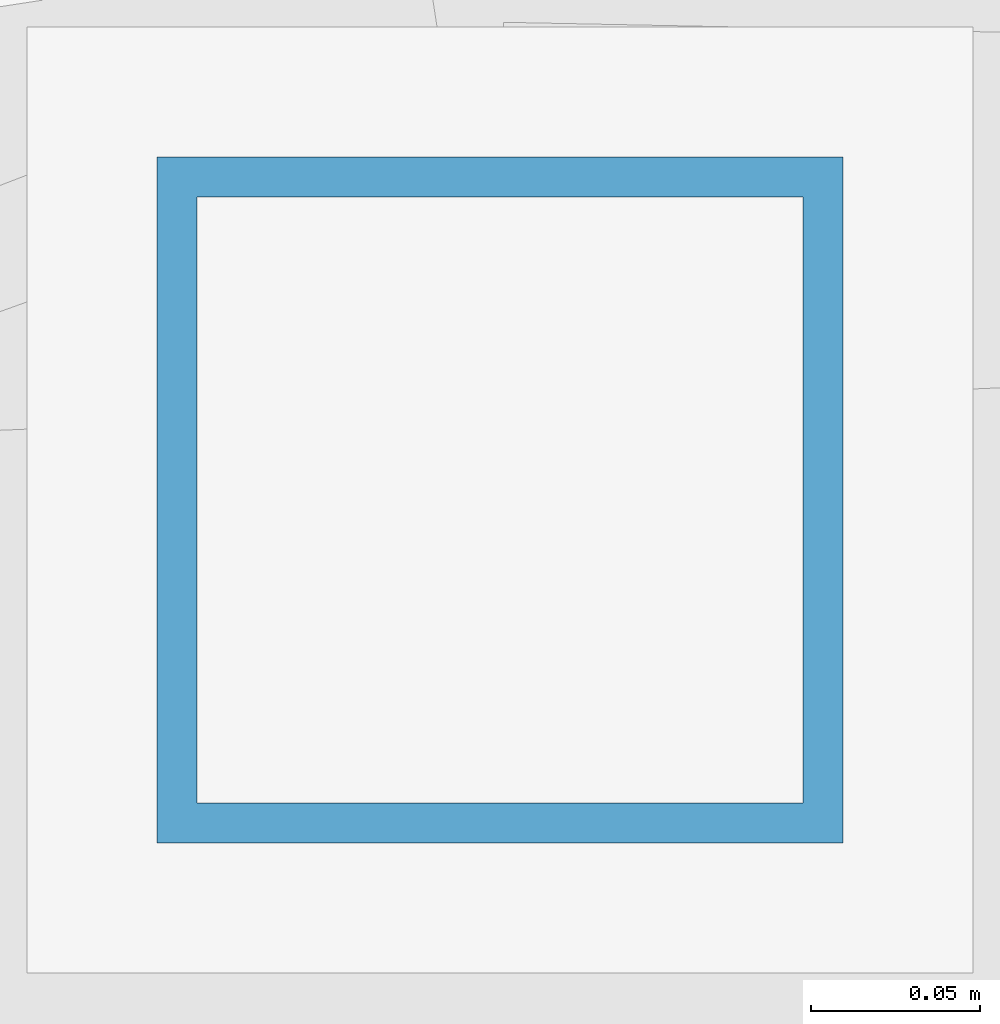
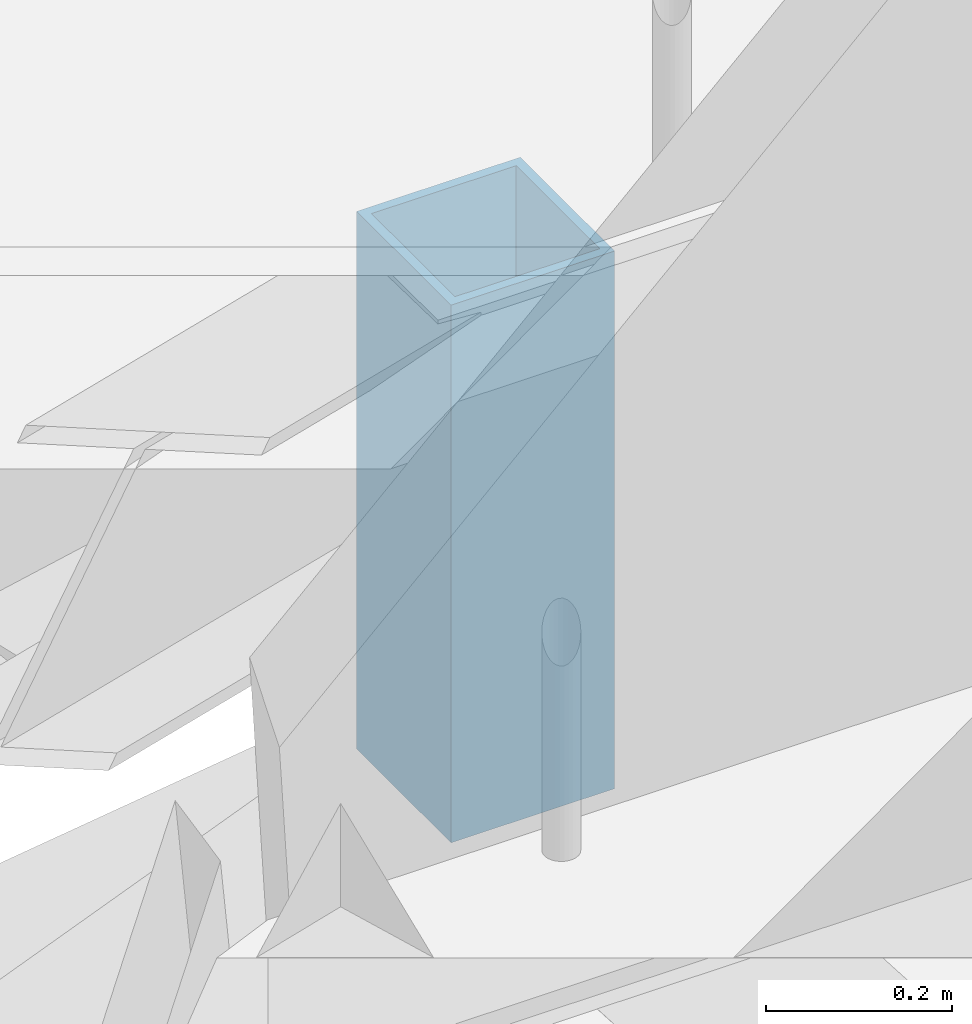
# One storey, part 72 of 107: 1 member.
"""IFC4 building model written with IfcOpenShell, lengths in metres."""

from ifc_helpers import new_model, si_unit, derived_unit, direction, frame, origin, origin_2d, place, context, subcontext, project, spatial, hollow_rectangle, extrude, material, material_profile, profile_set, type_object, element, save


model = new_model("IFC4")

# Units and contexts
model_context = context("Model", 3, precision=1e-05, world=origin(), true_north=direction((0.0, 1.0)))
body_context = subcontext(model_context, "Body", "Model", "MODEL_VIEW")
ifc_project = project(units=[si_unit("LENGTHUNIT", "METRE"), si_unit("AREAUNIT", "SQUARE_METRE"), si_unit("VOLUMEUNIT", "CUBIC_METRE"), si_unit("PLANEANGLEUNIT", "RADIAN"), si_unit("MASSUNIT", "GRAM", prefix="KILO"), derived_unit("THERMALTRANSMITTANCEUNIT", [(si_unit("MASSUNIT", "GRAM", prefix="KILO"), 1), (si_unit("TIMEUNIT", "SECOND"), -3), (si_unit("THERMODYNAMICTEMPERATUREUNIT", "KELVIN"), -1)])], contexts=[model_context])

# Site, building, storey
site_placement = place(None, origin())
site = spatial("IfcSite", under=ifc_project, at=site_placement, CompositionType="ELEMENT")
building_placement = place(site_placement, origin())
building = spatial("IfcBuilding", under=site, at=building_placement, Name="Makaiwela Harbour Ferry Terminal", CompositionType="ELEMENT")
storey_placement = place(building_placement, frame((0.0, 0.0, 9.60009765625)))
storey = spatial("IfcBuildingStorey", under=building, at=storey_placement, Name="L02", CompositionType="ELEMENT", Elevation=9.60009765625)

# Member
ifc_material = material(Name="Steel ASTM A500 Grade C", Category="steel")
ifc_material_profile = material_profile(ifc_material, hollow_rectangle(XDim=0.202880859375, YDim=0.202880859375, WallThickness=0.01171875, at=origin_2d()), Name="HSS8X8X1/2")
ifc_profile_set = profile_set([ifc_material_profile], Name="Steel ASTM A500 Grade C")
member_type = type_object("IfcMemberType", Name="STR-PST-HSS8", PredefinedType="POST", material=ifc_profile_set)
member_placement = place(storey_placement, frame((33.1748046875, 90.798828125, -0.280029296875), z_axis=(0.0, 0.0, 1.0), x_axis=(1.0, 0.0, 0.0)))
element("IfcMember", 1, at=member_placement, inside=storey, type_object=member_type, Name="Exterior Ramp Support Post RP-0067", PredefinedType="POST", context=body_context, shape_type="SweptSolid", body=[
    extrude(hollow_rectangle(XDim=0.202880859375, YDim=0.202880859375, WallThickness=0.01171875, at=origin_2d()), origin(), (0.0, 0.0, 1.0), 0.704833984375),
])

save(model, "model.ifc")
